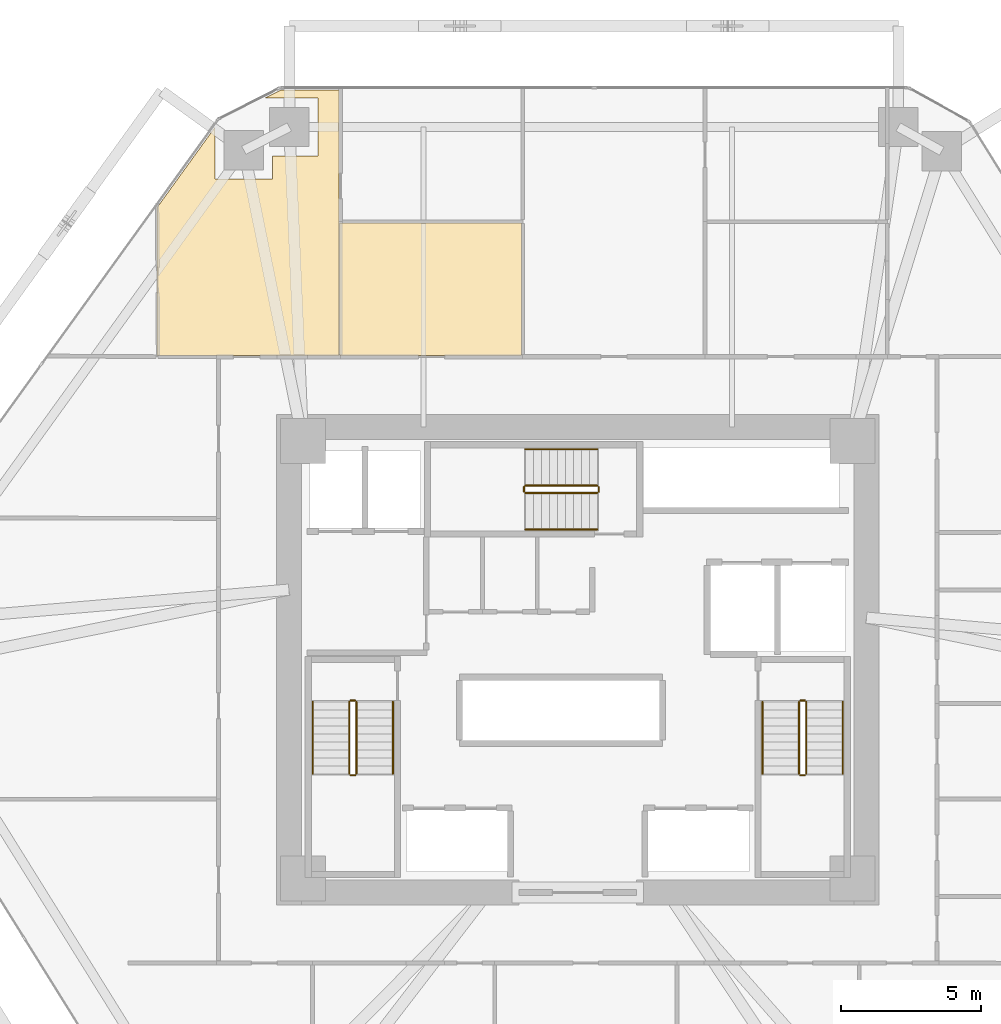
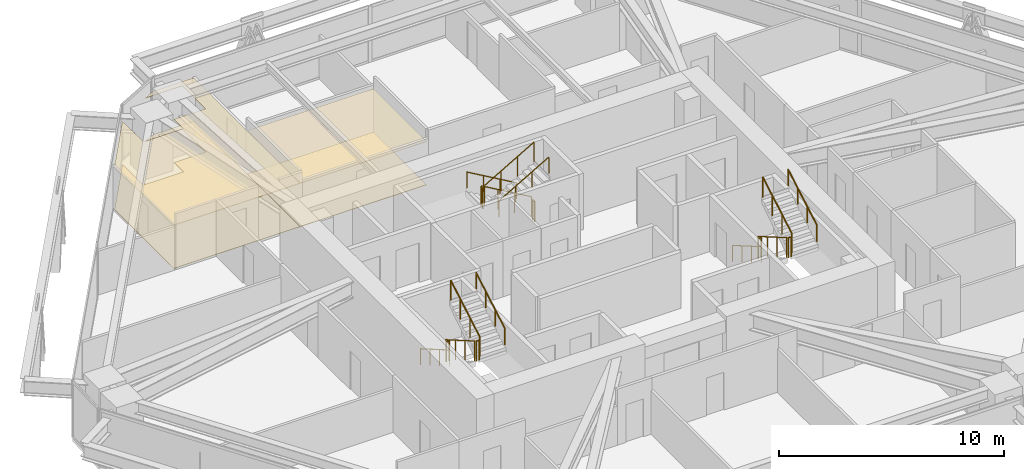
# One storey, part 17 of 17: 18 railings, 4 coverings.
"""IFC4 building model written with IfcOpenShell, lengths in metres."""

from ifc_helpers import new_model, si_unit, direction, frame, origin, origin_2d, place, context, subcontext, project, spatial, polyline, circle, outline, extrude, material, layer, layer_set, type_object, element, save


model = new_model("IFC4")

# Units and contexts
model_context = context("Model", 3, precision=1e-05, world=origin(), true_north=direction((0.0, 1.0)))
body_context = subcontext(model_context, "Body", "Model", "MODEL_VIEW")
ifc_project = project(units=[si_unit("LENGTHUNIT", "METRE"), si_unit("AREAUNIT", "SQUARE_METRE"), si_unit("VOLUMEUNIT", "CUBIC_METRE"), si_unit("PLANEANGLEUNIT", "RADIAN"), si_unit("MASSUNIT", "GRAM", prefix="KILO")], contexts=[model_context])

# Site, building, storey
site_placement = place(None, origin())
site = spatial("IfcSite", under=ifc_project, at=site_placement, CompositionType="ELEMENT")
building_placement = place(site_placement, origin())
building = spatial("IfcBuilding", under=site, at=building_placement, Name="Durnholm Broadcast Tower", CompositionType="ELEMENT")
storey_placement = place(building_placement, frame((0.0, 0.0, 39.0)))
storey = spatial("IfcBuildingStorey", under=building, at=storey_placement, Name="L08", CompositionType="ELEMENT", Elevation=39.0)

# Coverings
ifc_material_1 = material(Name="Mineral Fiber Acoustic Ceiling Tile", Category="concrete")
ifc_layer_1 = layer(ifc_material_1, 0.02490234375)
ifc_layer_set_1 = layer_set([ifc_layer_1], Name="Mineral Fiber Acoustic Ceiling Tile")
covering_type_1 = type_object("IfcCoveringType", Name="COV-CEIL-AC", PredefinedType="CEILING", material=ifc_layer_set_1)
covering_1_placement = place(storey_placement, frame((0.0, 0.0, 2.35009765625)))
element("IfcCovering", 1, at=covering_1_placement, inside=storey, type_object=covering_type_1, Name="L08 Video Edit Office 2 acoustic ceiling", PredefinedType="CEILING", context=body_context, shape_type="SweptSolid", body=[
    extrude(outline(polyline([(-10.87744140625, 17.138671875), (-12.937255859375, 17.138671875), (-12.937255859375, 18.988525390625), (-14.9951171875, 16.134521484375), (-14.9951171875, 10.85498046875), (-8.5048828125, 10.85498046875), (-8.5048828125, 20.31494140625), (-10.599609375, 20.31494140625), (-11.15673828125, 20.02978515625), (-9.2529296875, 20.02978515625), (-9.2529296875, 17.97021484375), (-10.87744140625, 17.97021484375), (-10.87744140625, 17.138671875)])), origin(), (0.0, 0.0, 1.0), 0.02490234375),
])
covering_2_placement = place(storey_placement, frame((0.0, 0.0, 2.35009765625)))
element("IfcCovering", 2, at=covering_2_placement, inside=storey, type_object=covering_type_1, Name="L08 Color Timing Office acoustic ceiling", PredefinedType="CEILING", context=body_context, shape_type="SweptSolid", body=[
    extrude(outline(polyline([(-8.4951171875, 15.580078125), (-8.4951171875, 10.85498046875), (-2.0048828125, 10.85498046875), (-2.0048828125, 15.580078125), (-8.4951171875, 15.580078125)])), origin(), (0.0, 0.0, 1.0), 0.02490234375),
])
ifc_material_2 = material(Name="Engineered Oak Acoustic Broadcast Flooring", Category="wood")
ifc_layer_2 = layer(ifc_material_2, 0.02001953125)
ifc_layer_set_2 = layer_set([ifc_layer_2], Name="Engineered Oak Acoustic Broadcast Flooring")
covering_type_2 = type_object("IfcCoveringType", Name="COV-FLR-OAK", PredefinedType="FLOORING", material=ifc_layer_set_2)
covering_3_placement = place(storey_placement, origin())
element("IfcCovering", 3, at=covering_3_placement, inside=storey, type_object=covering_type_2, Name="L08 Video Edit Office 2 acoustic oak flooring", PredefinedType="FLOORING", context=body_context, shape_type="SweptSolid", body=[
    extrude(outline(polyline([(-10.87744140625, 17.138671875), (-12.937255859375, 17.138671875), (-12.937255859375, 18.988525390625), (-14.9951171875, 16.134521484375), (-14.9951171875, 10.85498046875), (-8.5048828125, 10.85498046875), (-8.5048828125, 20.31494140625), (-10.599609375, 20.31494140625), (-11.15673828125, 20.02978515625), (-9.2529296875, 20.02978515625), (-9.2529296875, 17.97021484375), (-10.87744140625, 17.97021484375), (-10.87744140625, 17.138671875)])), origin(), (0.0, 0.0, 1.0), 0.02001953125),
])
covering_4_placement = place(storey_placement, origin())
element("IfcCovering", 4, at=covering_4_placement, inside=storey, type_object=covering_type_2, Name="L08 Color Timing Office acoustic oak flooring", PredefinedType="FLOORING", context=body_context, shape_type="SweptSolid", body=[
    extrude(outline(polyline([(-8.4951171875, 15.580078125), (-8.4951171875, 10.85498046875), (-2.0048828125, 10.85498046875), (-2.0048828125, 15.580078125), (-8.4951171875, 15.580078125)])), origin(), (0.0, 0.0, 1.0), 0.02001953125),
])

# Railings
ifc_material_3 = material(Name="Painted Tubular Steel Stair Guardrail", Category="steel")
railing_type_1 = type_object("IfcRailingType", Name="RAIL-ST-GRD", PredefinedType="GUARDRAIL", material=ifc_material_3)
railing_1_placement = place(storey_placement, frame((-8.14990234375, -1.5, 0.1650390625)))
element("IfcRailing", 5, at=railing_1_placement, inside=storey, type_object=railing_type_1, Name="L08 ST-1 stair guard 1", PredefinedType="GUARDRAIL", context=body_context, shape_type="SweptSolid", body=[
    extrude(circle(Radius=0.02392578125, at=origin_2d()), frame((0.0, 0.0, 1.076171875), z_axis=(0.0, -0.865441324677, 0.50101029285), x_axis=(1.0, 0.0, 0.0)), (0.0, 0.0, 1.0), 2.963623046875),
    extrude(circle(Radius=0.02099609375, at=origin_2d()), origin(), (0.0, 0.0, 1.0), 1.052001953125),
    extrude(circle(Radius=0.02099609375, at=origin_2d()), frame((0.0, -0.85498046875, 0.494873046875)), (0.0, 0.0, 1.0), 1.052001953125),
    extrude(circle(Radius=0.02099609375, at=origin_2d()), frame((0.0, -1.7099609375, 0.989990234375)), (0.0, 0.0, 1.0), 1.052001953125),
    extrude(circle(Radius=0.02099609375, at=origin_2d()), frame((0.0, -2.56494140625, 1.48486328125)), (0.0, 0.0, 1.0), 1.052001953125),
])
railing_2_placement = place(storey_placement, frame((-8.10009765625, -4.114990234375, 1.64990234375)))
element("IfcRailing", 6, at=railing_2_placement, inside=storey, type_object=railing_type_1, Name="L08 ST-1 stair guard 2", PredefinedType="GUARDRAIL", context=body_context, shape_type="SweptSolid", body=[
    extrude(circle(Radius=0.02392578125, at=origin_2d()), frame((0.0, 0.0, 1.076171875), z_axis=(1.0, 0.0, 0.0), x_axis=(0.0, 1.0, 0.0)), (0.0, 0.0, 1.0), 0.16015625),
    extrude(circle(Radius=0.02099609375, at=origin_2d()), origin(), (0.0, 0.0, 1.0), 1.052001953125),
    extrude(circle(Radius=0.02099609375, at=origin_2d()), frame((0.16015625, 0.0, 0.0)), (0.0, 0.0, 1.0), 1.052001953125),
])
railing_3_placement = place(storey_placement, frame((-7.889892578125, -4.06494140625, 1.81494140625)))
element("IfcRailing", 7, at=railing_3_placement, inside=storey, type_object=railing_type_1, Name="L08 ST-1 stair guard 3", PredefinedType="GUARDRAIL", context=body_context, shape_type="SweptSolid", body=[
    extrude(circle(Radius=0.02392578125, at=origin_2d()), frame((0.0, 0.0, 1.076171875), z_axis=(0.0, 0.865405606168, 0.501071987656), x_axis=(-1.0, 0.0, 0.0)), (0.0, 0.0, 1.0), 2.9638671875),
    extrude(circle(Radius=0.02099609375, at=origin_2d()), origin(), (0.0, 0.0, 1.0), 1.052001953125),
    extrude(circle(Radius=0.02099609375, at=origin_2d()), frame((0.0, 0.85498046875, 0.4951171875)), (0.0, 0.0, 1.0), 1.052001953125),
    extrude(circle(Radius=0.02099609375, at=origin_2d()), frame((0.0, 1.7099609375, 0.989990234375)), (0.0, 0.0, 1.0), 1.052001953125),
    extrude(circle(Radius=0.02099609375, at=origin_2d()), frame((0.0, 2.56494140625, 1.485107421875)), (0.0, 0.0, 1.0), 1.052001953125),
])
railing_4_placement = place(storey_placement, frame((-8.10009765625, -1.449951171875, 0.0)))
element("IfcRailing", 8, at=railing_4_placement, inside=storey, type_object=railing_type_1, Name="L08 ST-1 stair guard 4", PredefinedType="GUARDRAIL", context=body_context, shape_type="SweptSolid", body=[
    extrude(circle(Radius=0.02392578125, at=origin_2d()), frame((0.0, 0.0, 1.076171875), z_axis=(1.0, 0.0, 0.0), x_axis=(0.0, 1.0, 0.0)), (0.0, 0.0, 1.0), 0.16015625),
    extrude(circle(Radius=0.02099609375, at=origin_2d()), origin(), (0.0, 0.0, 1.0), 1.052001953125),
    extrude(circle(Radius=0.02099609375, at=origin_2d()), frame((0.16015625, 0.0, 0.0)), (0.0, 0.0, 1.0), 1.052001953125),
])
railing_5_placement = place(storey_placement, frame((7.889892578125, -1.5, 0.1650390625)))
element("IfcRailing", 9, at=railing_5_placement, inside=storey, type_object=railing_type_1, Name="L08 ST-2 stair guard 1", PredefinedType="GUARDRAIL", context=body_context, shape_type="SweptSolid", body=[
    extrude(circle(Radius=0.02392578125, at=origin_2d()), frame((0.0, 0.0, 1.076171875), z_axis=(0.0, -0.865441324677, 0.50101029285), x_axis=(1.0, 0.0, 0.0)), (0.0, 0.0, 1.0), 2.963623046875),
    extrude(circle(Radius=0.02099609375, at=origin_2d()), origin(), (0.0, 0.0, 1.0), 1.052001953125),
    extrude(circle(Radius=0.02099609375, at=origin_2d()), frame((0.0, -0.85498046875, 0.494873046875)), (0.0, 0.0, 1.0), 1.052001953125),
    extrude(circle(Radius=0.02099609375, at=origin_2d()), frame((0.0, -1.7099609375, 0.989990234375)), (0.0, 0.0, 1.0), 1.052001953125),
    extrude(circle(Radius=0.02099609375, at=origin_2d()), frame((0.0, -2.56494140625, 1.48486328125)), (0.0, 0.0, 1.0), 1.052001953125),
])
railing_6_placement = place(storey_placement, frame((7.93994140625, -4.114990234375, 1.64990234375)))
element("IfcRailing", 10, at=railing_6_placement, inside=storey, type_object=railing_type_1, Name="L08 ST-2 stair guard 2", PredefinedType="GUARDRAIL", context=body_context, shape_type="SweptSolid", body=[
    extrude(circle(Radius=0.02392578125, at=origin_2d()), frame((0.0, 0.0, 1.076171875), z_axis=(1.0, 0.0, 0.0), x_axis=(0.0, 1.0, 0.0)), (0.0, 0.0, 1.0), 0.16015625),
    extrude(circle(Radius=0.02099609375, at=origin_2d()), origin(), (0.0, 0.0, 1.0), 1.052001953125),
    extrude(circle(Radius=0.02099609375, at=origin_2d()), frame((0.16015625, 0.0, 0.0)), (0.0, 0.0, 1.0), 1.052001953125),
])
railing_7_placement = place(storey_placement, frame((8.14990234375, -4.06494140625, 1.81494140625)))
element("IfcRailing", 11, at=railing_7_placement, inside=storey, type_object=railing_type_1, Name="L08 ST-2 stair guard 3", PredefinedType="GUARDRAIL", context=body_context, shape_type="SweptSolid", body=[
    extrude(circle(Radius=0.02392578125, at=origin_2d()), frame((0.0, 0.0, 1.076171875), z_axis=(0.0, 0.865405606168, 0.501071987656), x_axis=(-1.0, 0.0, 0.0)), (0.0, 0.0, 1.0), 2.9638671875),
    extrude(circle(Radius=0.02099609375, at=origin_2d()), origin(), (0.0, 0.0, 1.0), 1.052001953125),
    extrude(circle(Radius=0.02099609375, at=origin_2d()), frame((0.0, 0.85498046875, 0.4951171875)), (0.0, 0.0, 1.0), 1.052001953125),
    extrude(circle(Radius=0.02099609375, at=origin_2d()), frame((0.0, 1.7099609375, 0.989990234375)), (0.0, 0.0, 1.0), 1.052001953125),
    extrude(circle(Radius=0.02099609375, at=origin_2d()), frame((0.0, 2.56494140625, 1.485107421875)), (0.0, 0.0, 1.0), 1.052001953125),
])
railing_8_placement = place(storey_placement, frame((7.93994140625, -1.449951171875, 0.0)))
element("IfcRailing", 12, at=railing_8_placement, inside=storey, type_object=railing_type_1, Name="L08 ST-2 stair guard 4", PredefinedType="GUARDRAIL", context=body_context, shape_type="SweptSolid", body=[
    extrude(circle(Radius=0.02392578125, at=origin_2d()), frame((0.0, 0.0, 1.076171875), z_axis=(1.0, 0.0, 0.0), x_axis=(0.0, 1.0, 0.0)), (0.0, 0.0, 1.0), 0.16015625),
    extrude(circle(Radius=0.02099609375, at=origin_2d()), origin(), (0.0, 0.0, 1.0), 1.052001953125),
    extrude(circle(Radius=0.02099609375, at=origin_2d()), frame((0.16015625, 0.0, 0.0)), (0.0, 0.0, 1.0), 1.052001953125),
])
railing_9_placement = place(storey_placement, frame((0.699951171875, 6.2099609375, 0.1650390625)))
element("IfcRailing", 13, at=railing_9_placement, inside=storey, type_object=railing_type_1, Name="L08 ST-3 stair guard 1", PredefinedType="GUARDRAIL", context=body_context, shape_type="SweptSolid", body=[
    extrude(circle(Radius=0.02392578125, at=origin_2d()), frame((0.0, 0.0, 1.076171875), z_axis=(-0.865441324677, 0.0, 0.50101029285), x_axis=(0.0, -1.0, 0.0)), (0.0, 0.0, 1.0), 2.963623046875),
    extrude(circle(Radius=0.02099609375, at=origin_2d()), origin(), (0.0, 0.0, 1.0), 1.052001953125),
    extrude(circle(Radius=0.02099609375, at=origin_2d()), frame((-0.85498046875, 0.0, 0.494873046875)), (0.0, 0.0, 1.0), 1.052001953125),
    extrude(circle(Radius=0.02099609375, at=origin_2d()), frame((-1.7099609375, 0.0, 0.989990234375)), (0.0, 0.0, 1.0), 1.052001953125),
    extrude(circle(Radius=0.02099609375, at=origin_2d()), frame((-2.56494140625, 0.0, 1.48486328125)), (0.0, 0.0, 1.0), 1.052001953125),
])
railing_10_placement = place(storey_placement, frame((-1.9150390625, 6.159912109375, 1.64990234375)))
element("IfcRailing", 14, at=railing_10_placement, inside=storey, type_object=railing_type_1, Name="L08 ST-3 stair guard 2", PredefinedType="GUARDRAIL", context=body_context, shape_type="SweptSolid", body=[
    extrude(circle(Radius=0.02392578125, at=origin_2d()), frame((0.0, 0.0, 1.076171875), z_axis=(0.0, -1.0, 0.0), x_axis=(1.0, 0.0, 0.0)), (0.0, 0.0, 1.0), 0.159912109375),
    extrude(circle(Radius=0.02099609375, at=origin_2d()), origin(), (0.0, 0.0, 1.0), 1.052001953125),
    extrude(circle(Radius=0.02099609375, at=origin_2d()), frame((0.0, -0.159912109375, 0.0)), (0.0, 0.0, 1.0), 1.052001953125),
])
railing_11_placement = place(storey_placement, frame((-1.864990234375, 5.949951171875, 1.81494140625)))
element("IfcRailing", 15, at=railing_11_placement, inside=storey, type_object=railing_type_1, Name="L08 ST-3 stair guard 3", PredefinedType="GUARDRAIL", context=body_context, shape_type="SweptSolid", body=[
    extrude(circle(Radius=0.02392578125, at=origin_2d()), frame((0.0, 0.0, 1.076171875), z_axis=(0.865405606168, 0.0, 0.501071987656), x_axis=(0.0, 1.0, 0.0)), (0.0, 0.0, 1.0), 2.9638671875),
    extrude(circle(Radius=0.02099609375, at=origin_2d()), origin(), (0.0, 0.0, 1.0), 1.052001953125),
    extrude(circle(Radius=0.02099609375, at=origin_2d()), frame((0.85498046875, 0.0, 0.4951171875)), (0.0, 0.0, 1.0), 1.052001953125),
    extrude(circle(Radius=0.02099609375, at=origin_2d()), frame((1.7099609375, 0.0, 0.989990234375)), (0.0, 0.0, 1.0), 1.052001953125),
    extrude(circle(Radius=0.02099609375, at=origin_2d()), frame((2.56494140625, 0.0, 1.485107421875)), (0.0, 0.0, 1.0), 1.052001953125),
])
railing_12_placement = place(storey_placement, frame((0.75, 6.159912109375, 0.0)))
element("IfcRailing", 16, at=railing_12_placement, inside=storey, type_object=railing_type_1, Name="L08 ST-3 stair guard 4", PredefinedType="GUARDRAIL", context=body_context, shape_type="SweptSolid", body=[
    extrude(circle(Radius=0.02392578125, at=origin_2d()), frame((0.0, 0.0, 1.076171875), z_axis=(0.0, -1.0, 0.0), x_axis=(1.0, 0.0, 0.0)), (0.0, 0.0, 1.0), 0.159912109375),
    extrude(circle(Radius=0.02099609375, at=origin_2d()), origin(), (0.0, 0.0, 1.0), 1.052001953125),
    extrude(circle(Radius=0.02099609375, at=origin_2d()), frame((0.0, -0.159912109375, 0.0)), (0.0, 0.0, 1.0), 1.052001953125),
])
ifc_material_4 = material(Name="Brushed Stainless Steel Handrail", Category="steel")
railing_type_2 = type_object("IfcRailingType", Name="RAIL-ST-HND", PredefinedType="HANDRAIL", material=ifc_material_4)
railing_13_placement = place(storey_placement, frame((-9.449951171875, -1.5, 0.330078125)))
element("IfcRailing", 17, at=railing_13_placement, inside=storey, type_object=railing_type_2, Name="L08 ST-1 stair handrail 1", PredefinedType="HANDRAIL", context=body_context, shape_type="SweptSolid", body=[
    extrude(circle(Radius=0.02392578125, at=origin_2d()), frame((0.0, 0.0, 0.8759765625), z_axis=(0.0, -0.865441324677, 0.50101029285), x_axis=(1.0, 0.0, 0.0)), (0.0, 0.0, 1.0), 2.963623046875),
    extrude(circle(Radius=0.02099609375, at=origin_2d()), origin(), (0.0, 0.0, 1.0), 0.851806640625),
    extrude(circle(Radius=0.02099609375, at=origin_2d()), frame((0.0, -0.85498046875, 0.494873046875)), (0.0, 0.0, 1.0), 0.851806640625),
    extrude(circle(Radius=0.02099609375, at=origin_2d()), frame((0.0, -1.7099609375, 0.989990234375)), (0.0, 0.0, 1.0), 0.851806640625),
    extrude(circle(Radius=0.02099609375, at=origin_2d()), frame((0.0, -2.56494140625, 1.48486328125)), (0.0, 0.0, 1.0), 0.851806640625),
])
railing_14_placement = place(storey_placement, frame((-6.590087890625, -4.06494140625, 1.97998046875)))
element("IfcRailing", 18, at=railing_14_placement, inside=storey, type_object=railing_type_2, Name="L08 ST-1 stair handrail 2", PredefinedType="HANDRAIL", context=body_context, shape_type="SweptSolid", body=[
    extrude(circle(Radius=0.02392578125, at=origin_2d()), frame((0.0, 0.0, 0.8759765625), z_axis=(0.0, 0.865405606168, 0.501071987656), x_axis=(-1.0, 0.0, 0.0)), (0.0, 0.0, 1.0), 2.9638671875),
    extrude(circle(Radius=0.02099609375, at=origin_2d()), origin(), (0.0, 0.0, 1.0), 0.851806640625),
    extrude(circle(Radius=0.02099609375, at=origin_2d()), frame((0.0, 0.85498046875, 0.4951171875)), (0.0, 0.0, 1.0), 0.851806640625),
    extrude(circle(Radius=0.02099609375, at=origin_2d()), frame((0.0, 1.7099609375, 0.989990234375)), (0.0, 0.0, 1.0), 0.851806640625),
    extrude(circle(Radius=0.02099609375, at=origin_2d()), frame((0.0, 2.56494140625, 1.485107421875)), (0.0, 0.0, 1.0), 0.851806640625),
])
railing_15_placement = place(storey_placement, frame((6.590087890625, -1.5, 0.330078125)))
element("IfcRailing", 19, at=railing_15_placement, inside=storey, type_object=railing_type_2, Name="L08 ST-2 stair handrail 1", PredefinedType="HANDRAIL", context=body_context, shape_type="SweptSolid", body=[
    extrude(circle(Radius=0.02392578125, at=origin_2d()), frame((0.0, 0.0, 0.8759765625), z_axis=(0.0, -0.865441324677, 0.50101029285), x_axis=(1.0, 0.0, 0.0)), (0.0, 0.0, 1.0), 2.963623046875),
    extrude(circle(Radius=0.02099609375, at=origin_2d()), origin(), (0.0, 0.0, 1.0), 0.851806640625),
    extrude(circle(Radius=0.02099609375, at=origin_2d()), frame((0.0, -0.85498046875, 0.494873046875)), (0.0, 0.0, 1.0), 0.851806640625),
    extrude(circle(Radius=0.02099609375, at=origin_2d()), frame((0.0, -1.7099609375, 0.989990234375)), (0.0, 0.0, 1.0), 0.851806640625),
    extrude(circle(Radius=0.02099609375, at=origin_2d()), frame((0.0, -2.56494140625, 1.48486328125)), (0.0, 0.0, 1.0), 0.851806640625),
])
railing_16_placement = place(storey_placement, frame((9.449951171875, -4.06494140625, 1.97998046875)))
element("IfcRailing", 20, at=railing_16_placement, inside=storey, type_object=railing_type_2, Name="L08 ST-2 stair handrail 2", PredefinedType="HANDRAIL", context=body_context, shape_type="SweptSolid", body=[
    extrude(circle(Radius=0.02392578125, at=origin_2d()), frame((0.0, 0.0, 0.8759765625), z_axis=(0.0, 0.865405606168, 0.501071987656), x_axis=(-1.0, 0.0, 0.0)), (0.0, 0.0, 1.0), 2.9638671875),
    extrude(circle(Radius=0.02099609375, at=origin_2d()), origin(), (0.0, 0.0, 1.0), 0.851806640625),
    extrude(circle(Radius=0.02099609375, at=origin_2d()), frame((0.0, 0.85498046875, 0.4951171875)), (0.0, 0.0, 1.0), 0.851806640625),
    extrude(circle(Radius=0.02099609375, at=origin_2d()), frame((0.0, 1.7099609375, 0.989990234375)), (0.0, 0.0, 1.0), 0.851806640625),
    extrude(circle(Radius=0.02099609375, at=origin_2d()), frame((0.0, 2.56494140625, 1.485107421875)), (0.0, 0.0, 1.0), 0.851806640625),
])
railing_17_placement = place(storey_placement, frame((0.699951171875, 7.510009765625, 0.330078125)))
element("IfcRailing", 21, at=railing_17_placement, inside=storey, type_object=railing_type_2, Name="L08 ST-3 stair handrail 1", PredefinedType="HANDRAIL", context=body_context, shape_type="SweptSolid", body=[
    extrude(circle(Radius=0.02392578125, at=origin_2d()), frame((0.0, 0.0, 0.8759765625), z_axis=(-0.865441324677, 0.0, 0.50101029285), x_axis=(0.0, -1.0, 0.0)), (0.0, 0.0, 1.0), 2.963623046875),
    extrude(circle(Radius=0.02099609375, at=origin_2d()), origin(), (0.0, 0.0, 1.0), 0.851806640625),
    extrude(circle(Radius=0.02099609375, at=origin_2d()), frame((-0.85498046875, 0.0, 0.494873046875)), (0.0, 0.0, 1.0), 0.851806640625),
    extrude(circle(Radius=0.02099609375, at=origin_2d()), frame((-1.7099609375, 0.0, 0.989990234375)), (0.0, 0.0, 1.0), 0.851806640625),
    extrude(circle(Radius=0.02099609375, at=origin_2d()), frame((-2.56494140625, 0.0, 1.48486328125)), (0.0, 0.0, 1.0), 0.851806640625),
])
railing_18_placement = place(storey_placement, frame((-1.864990234375, 4.64990234375, 1.97998046875)))
element("IfcRailing", 22, at=railing_18_placement, inside=storey, type_object=railing_type_2, Name="L08 ST-3 stair handrail 2", PredefinedType="HANDRAIL", context=body_context, shape_type="SweptSolid", body=[
    extrude(circle(Radius=0.02392578125, at=origin_2d()), frame((0.0, 0.0, 0.8759765625), z_axis=(0.865405606168, 0.0, 0.501071987656), x_axis=(0.0, 1.0, 0.0)), (0.0, 0.0, 1.0), 2.9638671875),
    extrude(circle(Radius=0.02099609375, at=origin_2d()), origin(), (0.0, 0.0, 1.0), 0.851806640625),
    extrude(circle(Radius=0.02099609375, at=origin_2d()), frame((0.85498046875, 0.0, 0.4951171875)), (0.0, 0.0, 1.0), 0.851806640625),
    extrude(circle(Radius=0.02099609375, at=origin_2d()), frame((1.7099609375, 0.0, 0.989990234375)), (0.0, 0.0, 1.0), 0.851806640625),
    extrude(circle(Radius=0.02099609375, at=origin_2d()), frame((2.56494140625, 0.0, 1.485107421875)), (0.0, 0.0, 1.0), 0.851806640625),
])

save(model, "model.ifc")
